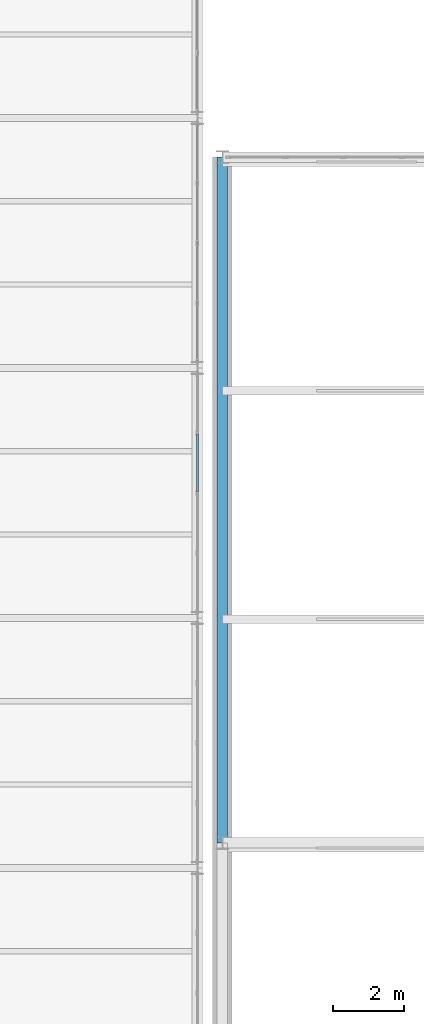
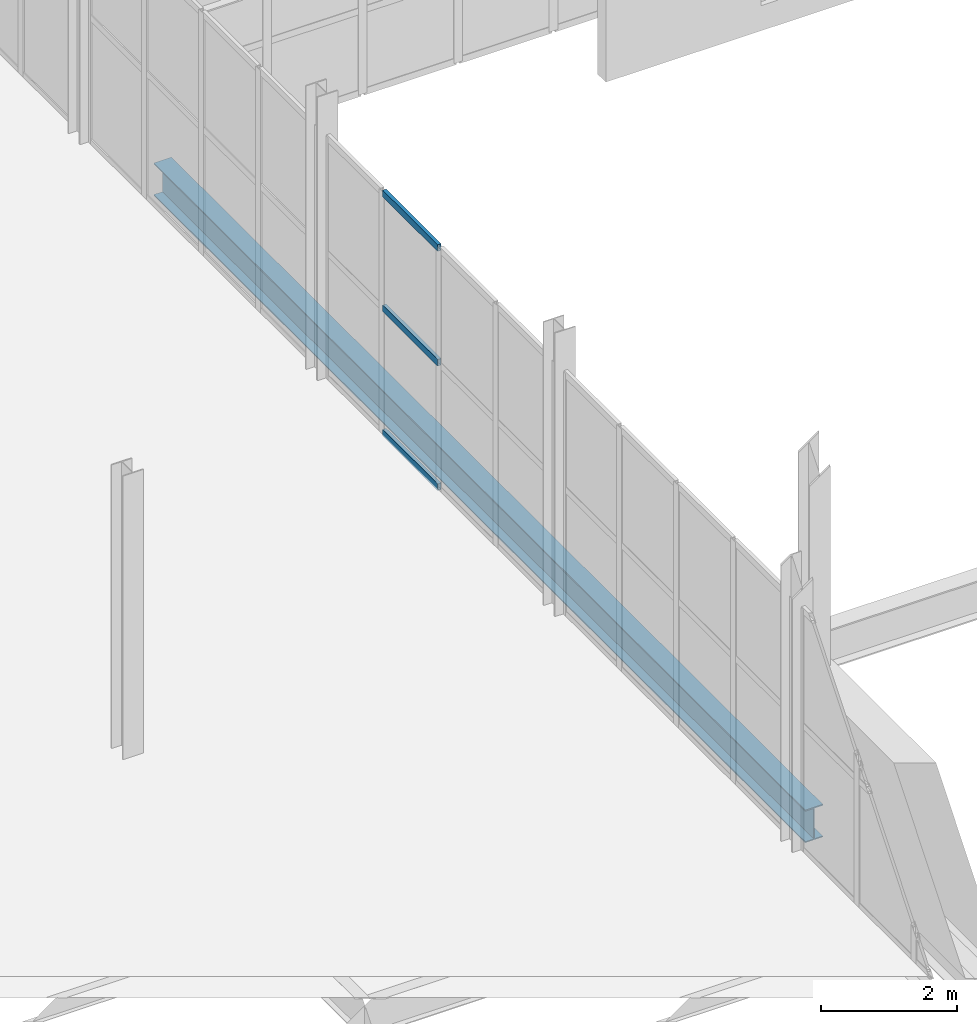
# One storey, part 54 of 218: 3 members, 1 beam, 1 element without a shape of its own.
"""IFC4 building model written with IfcOpenShell, lengths in metres."""

from ifc_helpers import new_model, si_unit, direction, frame, origin, origin_2d, place, context, subcontext, project, spatial, hollow_rectangle, i_section, extrude, material, material_profile, profile_set, type_object, element, aggregate, save


model = new_model("IFC4")

# Units and contexts
model_context = context("Model", 3, precision=1e-05, world=origin(), true_north=direction((0.0, 1.0)))
body_context = subcontext(model_context, "Body", "Model", "MODEL_VIEW")
ifc_project = project(units=[si_unit("LENGTHUNIT", "METRE"), si_unit("AREAUNIT", "SQUARE_METRE"), si_unit("VOLUMEUNIT", "CUBIC_METRE"), si_unit("PLANEANGLEUNIT", "RADIAN"), si_unit("MASSUNIT", "GRAM", prefix="KILO")], contexts=[model_context])

# Site, building, storey
site_placement = place(None, origin())
site = spatial("IfcSite", under=ifc_project, at=site_placement, CompositionType="ELEMENT")
building_placement = place(site_placement, origin())
building = spatial("IfcBuilding", under=site, at=building_placement, Name="Kazenagashi Tramway Depot", CompositionType="ELEMENT")
storey_placement = place(building_placement, frame((0.0, 0.0, 6.0)))
storey = spatial("IfcBuildingStorey", under=building, at=storey_placement, Name="L02", CompositionType="ELEMENT", Elevation=6.0)

# Beam
ifc_material_1 = material(Name="Steel SN490B", Category="steel")
ifc_material_profile_1 = material_profile(ifc_material_1, i_section(OverallWidth=0.3, OverallDepth=0.588, WebThickness=0.012, FlangeThickness=0.02, at=origin_2d()), Name="H-588x300x12x20")
ifc_profile_set_1 = profile_set([ifc_material_profile_1], Name="Steel SN490B")
beam_type = type_object("IfcBeamType", Name="SP-01", PredefinedType="SPANDREL", material=ifc_profile_set_1)
beam_placement = place(storey_placement, frame((44.8, 35.7, -0.314), z_axis=(0.0, 1.0, 0.0), x_axis=(-1.0, 0.0, 0.0)))
element("IfcBeam", 1, at=beam_placement, inside=storey, type_object=beam_type, Name="Beam SP-01 BM-2355", PredefinedType="SPANDREL", context=body_context, shape_type="SweptSolid", body=[
    extrude(i_section(OverallWidth=0.3, OverallDepth=0.588, WebThickness=0.012, FlangeThickness=0.02, at=origin_2d()), origin(), (0.0, 0.0, 1.0), 19.2),
])

# Curtain wall, members
ifc_material_2 = material(Name="Anodised Aluminium and Low-E Glazing", Category="aluminium")
curtain_wall_type = type_object("IfcCurtainWallType", Name="CW-34", PredefinedType="USERDEFINED", material=ifc_material_2)
curtain_wall_placement = place(storey_placement, origin())
curtain_wall = element("IfcCurtainWall", 2, at=curtain_wall_placement, inside=storey, type_object=curtain_wall_type, Name="Industrial Glazed Screen CW-34 CW-0192", ObjectType="GLAZED SCREEN", PredefinedType="USERDEFINED")
ifc_material_3 = material(Name="Anodised Aluminium", Category="aluminium")
ifc_material_profile_2 = material_profile(ifc_material_3, hollow_rectangle(XDim=0.06, YDim=0.12, WallThickness=0.004, at=origin_2d()), Name="RHS-120x60x4")
ifc_profile_set_2 = profile_set([ifc_material_profile_2], Name="Anodised Aluminium")
member_type = type_object("IfcMemberType", Name="TR-01", PredefinedType="USERDEFINED", material=ifc_profile_set_2)
member_1_placement = place(storey_placement, frame((44.1, 45.53, 0.03), z_axis=(0.0, 1.0, 0.0), x_axis=(-1.0, 0.0, 0.0)))
member_1 = element("IfcMember", 3, at=member_1_placement, type_object=member_type, Name="CW-34 transom 3.1", ObjectType="TRANSOM", PredefinedType="USERDEFINED", context=body_context, shape_type="SweptSolid", body=[
    extrude(hollow_rectangle(XDim=0.06, YDim=0.12, WallThickness=0.004, at=origin_2d()), origin(), (0.0, 0.0, 1.0), 1.62),
])
member_2_placement = place(storey_placement, frame((44.1, 45.53, 2.268), z_axis=(0.0, 1.0, 0.0), x_axis=(-1.0, 0.0, 0.0)))
member_2 = element("IfcMember", 4, at=member_2_placement, type_object=member_type, Name="CW-34 transom 3.2", ObjectType="TRANSOM", PredefinedType="USERDEFINED", context=body_context, shape_type="SweptSolid", body=[
    extrude(hollow_rectangle(XDim=0.06, YDim=0.12, WallThickness=0.004, at=origin_2d()), origin(), (0.0, 0.0, 1.0), 1.62),
])
member_3_placement = place(storey_placement, frame((44.1, 45.53, 4.332), z_axis=(0.0, 1.0, 0.0), x_axis=(-1.0, 0.0, 0.0)))
member_3 = element("IfcMember", 5, at=member_3_placement, type_object=member_type, Name="CW-34 transom 3.3", ObjectType="TRANSOM", PredefinedType="USERDEFINED", context=body_context, shape_type="SweptSolid", body=[
    extrude(hollow_rectangle(XDim=0.06, YDim=0.12, WallThickness=0.004, at=origin_2d()), origin(), (0.0, 0.0, 1.0), 1.62),
])
aggregate(curtain_wall, [member_1, member_2, member_3])

save(model, "model.ifc")
